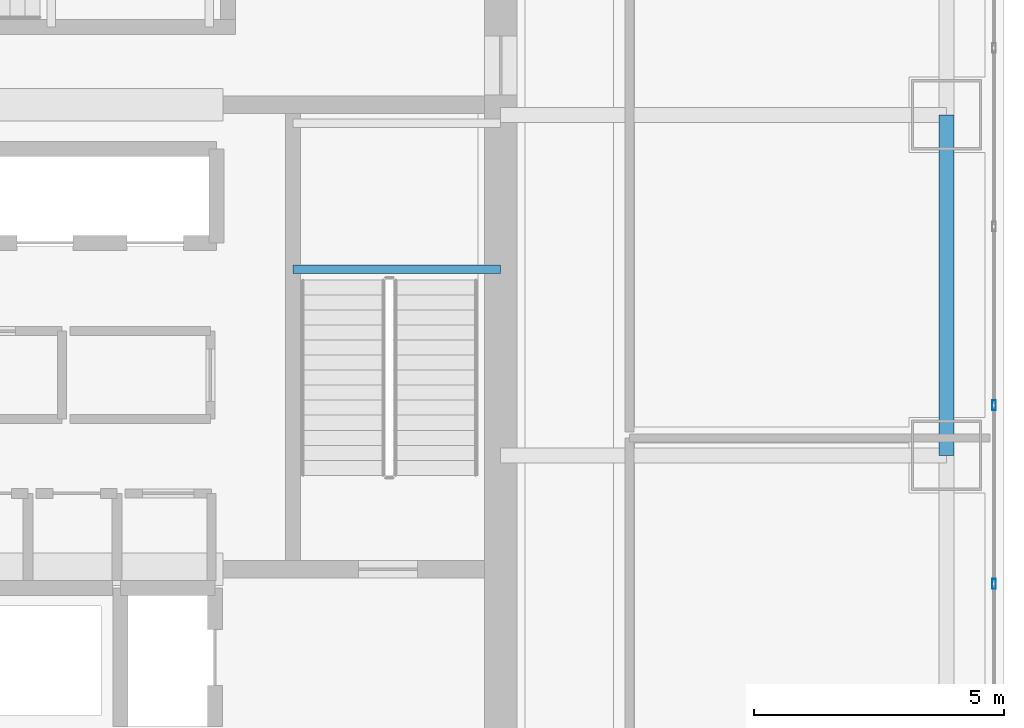
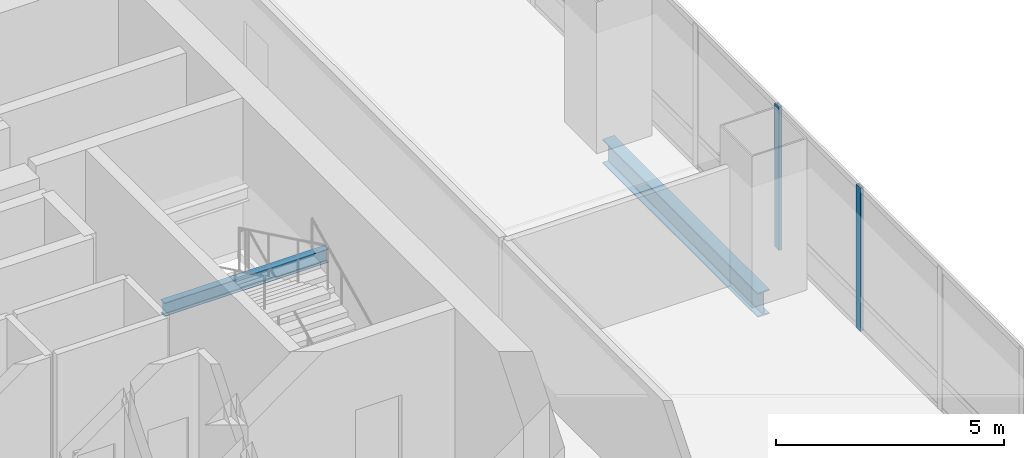
# One storey, part 15 of 36: 2 beams, 2 members, 1 element without a shape of its own.
"""IFC4 building model written with IfcOpenShell, lengths in metres."""

import ifcopenshell
import ifcopenshell.guid

model = None  # the IFC model being written
_history = None  # IfcOwnerHistory: only IFC2X3 demands one
_inside = {}  # id of a spatial element -> (the spatial element, [elements in it])
_under = {}  # id of a project, library or spatial element -> (it, [spatial elements below it])
_declared = {}  # id of a project -> (the project, [libraries it declares])
_typed = {}  # id of a type object -> (the type object, [elements of that type])
_made_of = {}  # id of a material, layer set ... -> (it, [elements and type objects made of it])


def new_model(schema):
    """Start an empty IFC model of exactly this schema.

    Asked for "IFC4X3", IfcOpenShell would pick the latest addendum, in which some entities
    have other attributes; the version numbers below select the first issue.
    IFC2X3 requires an IfcOwnerHistory on every rooted entity: one is made here for all.
    """
    global model, _history
    if schema == "IFC4X3":
        model = ifcopenshell.file(schema_version=(4, 3, 0, 0))
    else:
        model = ifcopenshell.file(schema=schema)
    _inside.clear()
    _under.clear()
    _declared.clear()
    _typed.clear()
    _made_of.clear()
    _history = None
    if model.schema == "IFC2X3":
        org = make("IfcOrganization", Name="unknown")
        user = make(
            "IfcPersonAndOrganization",
            ThePerson=make("IfcPerson", FamilyName="unknown"),
            TheOrganization=org,
        )
        app = make(
            "IfcApplication",
            ApplicationDeveloper=org,
            Version="unknown",
            ApplicationFullName="unknown",
            ApplicationIdentifier="unknown",
        )
        _history = make(
            "IfcOwnerHistory",
            OwningUser=user,
            OwningApplication=app,
            ChangeAction="ADDED",
            CreationDate=0,
        )
    return model


def make(cls, **values):
    """One entity of the class cls with the attributes given. An attribute that is None is left unset."""
    return model.create_entity(
        cls, **{name: value for name, value in values.items() if value is not None}
    )


def rooted(cls, **values):
    """An entity with a GlobalId (a new one), such as an element, a storey or a relation."""
    return make(cls, GlobalId=ifcopenshell.guid.new(), OwnerHistory=_history, **values)


def si_unit(unit_type, name, prefix=None):
    """IfcSIUnit, for example si_unit("LENGTHUNIT", "METRE", prefix="MILLI")."""
    return make("IfcSIUnit", UnitType=unit_type, Prefix=prefix, Name=name)


def assignment(units):
    """IfcUnitAssignment: the units of a project."""
    return None if units is None else make("IfcUnitAssignment", Units=units)


def point(xyz):
    """IfcCartesianPoint."""
    return None if xyz is None else make("IfcCartesianPoint", Coordinates=xyz)


def direction(xyz):
    """IfcDirection."""
    return None if xyz is None else make("IfcDirection", DirectionRatios=xyz)


def frame(location, z_axis=None, x_axis=None):
    """IfcAxis2Placement3D, a coordinate frame: its origin and axes. An axis left out is left unset."""
    return make(
        "IfcAxis2Placement3D",
        Location=point(location),
        Axis=direction(z_axis),
        RefDirection=direction(x_axis),
    )


def frame_2d(location, x_axis=None):
    """IfcAxis2Placement2D, a coordinate frame in the plane: its origin and x axis."""
    return make(
        "IfcAxis2Placement2D", Location=point(location), RefDirection=direction(x_axis)
    )


def origin():
    """The frame at (0, 0, 0) with its axes left unset."""
    return frame((0.0, 0.0, 0.0))


def origin_2d():
    """The frame at (0, 0) in the plane with its x axis left unset."""
    return frame_2d((0.0, 0.0))


def place(relative_to, where):
    """IfcLocalPlacement: puts the frame where relative to a parent placement (None: the world)."""
    return make(
        "IfcLocalPlacement", PlacementRelTo=relative_to, RelativePlacement=where
    )


def context(
    kind, dimensions, precision=None, world=None, true_north=None, identifier=None
):
    """IfcGeometricRepresentationContext, for example the 3D "Model" context."""
    return make(
        "IfcGeometricRepresentationContext",
        ContextIdentifier=identifier,
        ContextType=kind,
        CoordinateSpaceDimension=dimensions,
        Precision=precision,
        WorldCoordinateSystem=world,
        TrueNorth=true_north,
    )


def subcontext(parent, identifier, kind, view, scale=None):
    """IfcGeometricRepresentationSubContext, for example "Body" below "Model"."""
    return make(
        "IfcGeometricRepresentationSubContext",
        ContextIdentifier=identifier,
        ContextType=kind,
        ParentContext=parent,
        TargetScale=scale,
        TargetView=view,
    )


def project(units=None, contexts=None):
    """IfcProject with its units and contexts."""
    return rooted(
        "IfcProject",
        Name="project",
        RepresentationContexts=contexts,
        UnitsInContext=assignment(units),
    )


def spatial(cls, under=None, at=None, **own):
    """A site, building, storey or space (cls), placed at a placement, below another one or the project."""
    s = rooted(cls, ObjectPlacement=at, **own)
    if under is not None:
        _under.setdefault(under.id(), (under, []))[1].append(s)
    return s


def profile(cls, at=None, kind="AREA", **sizes):
    """A parametric profile (cls). Its sizes go by their IFC names, for example OverallWidth=200.0."""
    return make(cls, ProfileType=kind, Position=at, **sizes)


def hollow_rectangle(**sizes):
    """IfcRectangleHollowProfileDef."""
    return profile("IfcRectangleHollowProfileDef", **sizes)


def i_section(**sizes):
    """IfcIShapeProfileDef."""
    return profile("IfcIShapeProfileDef", **sizes)


def extrude(swept, where, along, depth):
    """IfcExtrudedAreaSolid: the profile swept, set in the frame where, extruded along a direction by depth."""
    return make(
        "IfcExtrudedAreaSolid",
        SweptArea=swept,
        Position=where,
        ExtrudedDirection=direction(along),
        Depth=depth,
    )


def shape(context_of_items, identifier, shape_type, items):
    """IfcShapeRepresentation: the items that make up one representation, for example the "Body"."""
    return make(
        "IfcShapeRepresentation",
        ContextOfItems=context_of_items,
        RepresentationIdentifier=identifier,
        RepresentationType=shape_type,
        Items=items,
    )


def material(Name=None, Category=None):
    """IfcMaterial."""
    return make("IfcMaterial", Name=Name, Category=Category)


def material_profile(
    of_material, cross_section, Name=None, Category=None, Priority=None
):
    """IfcMaterialProfile: a cross section and its material."""
    return make(
        "IfcMaterialProfile",
        Name=Name,
        Material=of_material,
        Profile=cross_section,
        Priority=Priority,
        Category=Category,
    )


def profile_set(profiles, Name=None, composite=None):
    """IfcMaterialProfileSet."""
    return make(
        "IfcMaterialProfileSet",
        Name=Name,
        MaterialProfiles=profiles,
        CompositeProfile=composite,
    )


def made_of(thing, what):
    """Note that an element or type object is made of a material, layer set ...; save() writes the relation."""
    if what is not None:
        _made_of.setdefault(what.id(), (what, []))[1].append(thing)
    return thing


def type_object(cls, material=None, **own):
    """A type object (cls), such as IfcWallType, which elements share."""
    return made_of(rooted(cls, **own), material)


def element(
    cls,
    number,
    at=None,
    inside=None,
    cuts=None,
    type_object=None,
    material=None,
    context=None,
    identifier="Body",
    shape_type=None,
    held_by="IfcProductDefinitionShape",
    body=None,
    shapes=None,
    **own,
):
    """One element of the class cls, such as IfcWall. Its Tag is "e" and its number.

    at: its placement. inside: the storey or other place that contains it. cuts: it is an
    opening in that element (IfcRelVoidsElement). A single representation is given by context,
    identifier, shape_type and body (its items); several are given by shapes. held_by: the class
    of the entity that holds the representations. save() writes the other relations.
    """
    e = rooted(cls, Tag="e%d" % number, ObjectPlacement=at, **own)
    if body is not None:
        shapes = [shape(context, identifier, shape_type, body)]
    if shapes is not None:
        e.Representation = make(held_by, Representations=shapes)
    if inside is not None:
        _inside.setdefault(inside.id(), (inside, []))[1].append(e)
    if cuts is not None:
        rooted(
            "IfcRelVoidsElement", RelatingBuildingElement=cuts, RelatedOpeningElement=e
        )
    if type_object is not None:
        _typed.setdefault(type_object.id(), (type_object, []))[1].append(e)
    return made_of(e, material)


def aggregate(whole, parts):
    """IfcRelAggregates: a whole, such as a stair, and the parts it consists of."""
    return rooted("IfcRelAggregates", RelatingObject=whole, RelatedObjects=parts)


def save(model, path):
    """Write the relations noted so far, then the file.

    IfcRelAggregates (storeys below a building ...), IfcRelContainedInSpatialStructure (elements
    in a storey), IfcRelDefinesByType, IfcRelAssociatesMaterial and IfcRelDeclares: one each for
    every whole, place, type object, material and project.
    """
    for whole, parts in _under.values():
        aggregate(whole, parts)
    for where, things in _inside.values():
        rooted(
            "IfcRelContainedInSpatialStructure",
            RelatedElements=things,
            RelatingStructure=where,
        )
    for kind, things in _typed.values():
        rooted("IfcRelDefinesByType", RelatedObjects=things, RelatingType=kind)
    for what, things in _made_of.values():
        rooted("IfcRelAssociatesMaterial", RelatedObjects=things, RelatingMaterial=what)
    for by, libraries in _declared.values():
        rooted("IfcRelDeclares", RelatingContext=by, RelatedDefinitions=libraries)
    model.write(path)


model = new_model("IFC4")

# Units and contexts
model_context = context("Model", 3, precision=1e-05, world=origin(), true_north=direction((0.0, 1.0)))
body_context = subcontext(model_context, "Body", "Model", "MODEL_VIEW")
ifc_project = project(units=[si_unit("LENGTHUNIT", "METRE"), si_unit("AREAUNIT", "SQUARE_METRE"), si_unit("VOLUMEUNIT", "CUBIC_METRE"), si_unit("PLANEANGLEUNIT", "RADIAN"), si_unit("MASSUNIT", "GRAM", prefix="KILO")], contexts=[model_context])

# Site, building, storey
site_placement = place(None, origin())
site = spatial("IfcSite", under=ifc_project, at=site_placement, CompositionType="ELEMENT")
building_placement = place(site_placement, origin())
building = spatial("IfcBuilding", under=site, at=building_placement, Name="Punatoya Terracotta Tower", CompositionType="ELEMENT")
storey_placement = place(building_placement, frame((0.0, 0.0, 196.5)))
storey = spatial("IfcBuildingStorey", under=building, at=storey_placement, Name="L46", CompositionType="ELEMENT", Elevation=196.5)

# Beams
ifc_material_1 = material(Name="Steel S355", Category="steel")
ifc_material_profile_1 = material_profile(ifc_material_1, i_section(OverallWidth=0.300048828125, OverallDepth=0.64990234375, WebThickness=0.01611328125, FlangeThickness=0.031005859375, FilletRadius=0.01806640625, at=origin_2d()))
ifc_profile_set_1 = profile_set([ifc_material_profile_1], Name="Steel S355")
beam_type_1 = type_object("IfcBeamType", Name="BM-PRI-650", PredefinedType="BEAM", material=ifc_profile_set_1)
beam_1_placement = place(storey_placement, frame((19.10009765625, -3.39990234375, -0.544921875), z_axis=(0.0, 1.0, 0.0), x_axis=(-1.0, 0.0, 0.0)))
element("IfcBeam", 1, at=beam_1_placement, inside=storey, type_object=beam_type_1, Name="BM-L46-RG-E2", PredefinedType="BEAM", context=body_context, shape_type="SweptSolid", body=[
    extrude(i_section(OverallWidth=0.300048828125, OverallDepth=0.64990234375, WebThickness=0.01611328125, FlangeThickness=0.031005859375, FilletRadius=0.01806640625, at=origin_2d()), origin(), (0.0, 0.0, 1.0), 6.7998046875),
])
ifc_material_profile_2 = material_profile(ifc_material_1, i_section(OverallWidth=0.169921875, OverallDepth=0.360107421875, WebThickness=0.008056640625, FlangeThickness=0.0126953125, FilletRadius=0.01806640625, at=origin_2d()))
ifc_profile_set_2 = profile_set([ifc_material_profile_2], Name="Steel S355")
beam_type_2 = type_object("IfcBeamType", Name="BM-SEC-360", PredefinedType="JOIST", material=ifc_profile_set_2)
beam_2_placement = place(storey_placement, frame((6.050048828125, 0.320068359375, 1.64501953125), z_axis=(1.0, 0.0, 0.0), x_axis=(0.0, 1.0, 0.0)))
element("IfcBeam", 2, at=beam_2_placement, inside=storey, type_object=beam_type_2, Name="BM-L46-ST-2-LD1A", PredefinedType="JOIST", context=body_context, shape_type="SweptSolid", body=[
    extrude(i_section(OverallWidth=0.169921875, OverallDepth=0.360107421875, WebThickness=0.008056640625, FlangeThickness=0.0126953125, FilletRadius=0.01806640625, at=origin_2d()), origin(), (0.0, 0.0, 1.0), 4.14990234375),
])

# Curtain wall, members
ifc_material_2 = material(Name="Aluminium 6063-T6 + Double Low-E Glass", Category="aluminium")
curtain_wall_type = type_object("IfcCurtainWallType", Name="CW-M2", PredefinedType="NOTDEFINED", material=ifc_material_2)
curtain_wall_placement = place(storey_placement, origin())
curtain_wall = element("IfcCurtainWall", 3, at=curtain_wall_placement, inside=storey, type_object=curtain_wall_type, Name="L46 Curtain Wall CW-L46-E05-1", PredefinedType="NOTDEFINED")
ifc_material_3 = material(Name="Aluminium 6063-T6", Category="aluminium")
ifc_material_profile_3 = material_profile(ifc_material_3, hollow_rectangle(XDim=0.072021484375, YDim=0.195068359375, WallThickness=0.00439453125, at=origin_2d()))
ifc_profile_set_3 = profile_set([ifc_material_profile_3], Name="Aluminium 6063-T6")
member_type = type_object("IfcMemberType", Name="CW-MUL-M2", PredefinedType="MULLION", material=ifc_profile_set_3)
member_1_placement = place(storey_placement, frame((20.050048828125, -5.96728515625, 0.0), z_axis=(0.0, 0.0, 1.0), x_axis=(1.0, 0.0, 0.0)))
member_1 = element("IfcMember", 4, at=member_1_placement, type_object=member_type, Name="CW-L46-E05-1 Mullion 04", PredefinedType="MULLION", context=body_context, shape_type="SweptSolid", body=[
    extrude(hollow_rectangle(XDim=0.072021484375, YDim=0.195068359375, WallThickness=0.00439453125, at=origin_2d()), origin(), (0.0, 0.0, 1.0), 3.830078125),
])
member_2_placement = place(storey_placement, frame((20.050048828125, -2.39990234375, 0.0), z_axis=(0.0, 0.0, 1.0), x_axis=(1.0, 0.0, 0.0)))
member_2 = element("IfcMember", 5, at=member_2_placement, type_object=member_type, Name="CW-L46-E05-1 Mullion 05", PredefinedType="MULLION", context=body_context, shape_type="SweptSolid", body=[
    extrude(hollow_rectangle(XDim=0.072021484375, YDim=0.195068359375, WallThickness=0.00439453125, at=origin_2d()), origin(), (0.0, 0.0, 1.0), 3.830078125),
])
aggregate(curtain_wall, [member_1, member_2])

save(model, "model.ifc")
